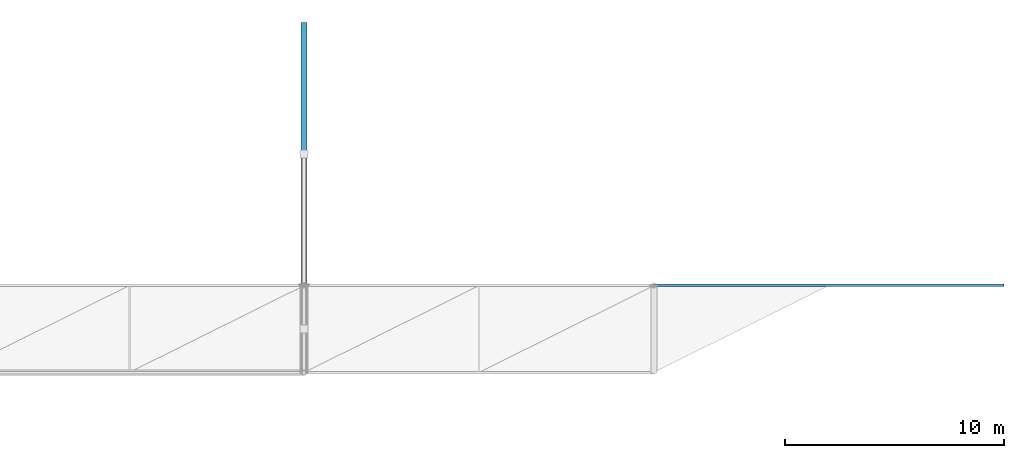
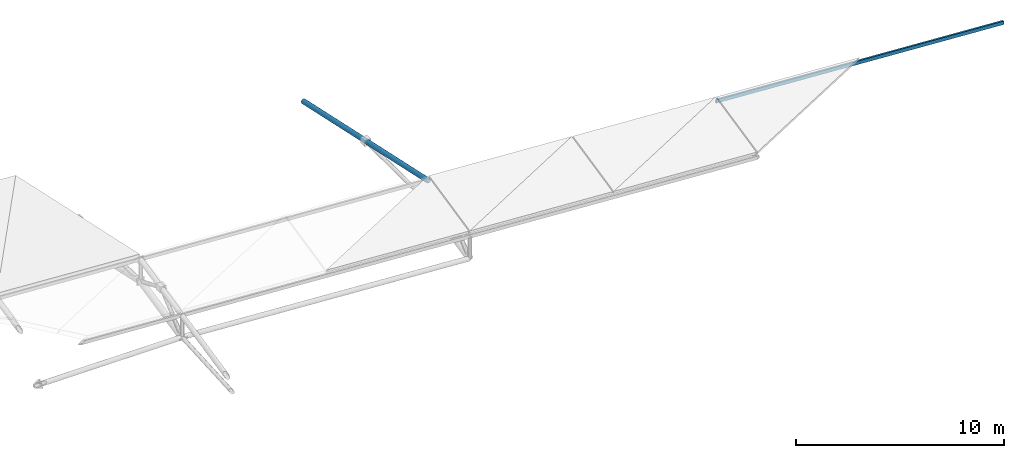
# One storey, part 14 of 27: 2 members.
"""IFC4 building model written with IfcOpenShell, lengths in metres."""

from ifc_helpers import new_model, si_unit, direction, frame, origin, origin_2d, place, context, subcontext, project, spatial, hollow_rectangle, hollow_circle, extrude, material, material_profile, profile_set, type_object, element, save


model = new_model("IFC4")

# Units and contexts
model_context = context("Model", 3, precision=1e-05, world=origin(), true_north=direction((0.0, 1.0)))
body_context = subcontext(model_context, "Body", "Model", "MODEL_VIEW")
ifc_project = project(units=[si_unit("LENGTHUNIT", "METRE"), si_unit("AREAUNIT", "SQUARE_METRE"), si_unit("VOLUMEUNIT", "CUBIC_METRE"), si_unit("PLANEANGLEUNIT", "RADIAN"), si_unit("MASSUNIT", "GRAM", prefix="KILO")], contexts=[model_context])

# Site, building, storey
site_placement = place(None, origin())
site = spatial("IfcSite", under=ifc_project, at=site_placement, CompositionType="ELEMENT")
building_placement = place(site_placement, origin())
building = spatial("IfcBuilding", under=site, at=building_placement, Name="Drelvath Fold Interchange", CompositionType="ELEMENT")
storey_placement = place(building_placement, frame((0.0, 0.0, 19.800048828125)))
storey = spatial("IfcBuildingStorey", under=building, at=storey_placement, Name="L04", CompositionType="ELEMENT", Elevation=19.800048828125)

# Members
ifc_material = material(Name="Steel ASTM A500 Grade C", Category="steel")
ifc_material_profile_1 = material_profile(ifc_material, hollow_rectangle(XDim=0.10205078125, YDim=0.202880859375, WallThickness=0.00732421875, at=origin_2d()), Name="HSS8X4X5/16")
ifc_profile_set_1 = profile_set([ifc_material_profile_1], Name="Steel ASTM A500 Grade C")
member_type_1 = type_object("IfcMemberType", Name="PR-HSS203", PredefinedType="PURLIN", material=ifc_profile_set_1)
member_1_placement = place(storey_placement, frame((150.0, 47.0, 0.674072265625), z_axis=(0.998196786761, 0.0, -0.06002645167), x_axis=(0.0, 1.0, 0.0)))
element("IfcMember", 1, at=member_1_placement, inside=storey, type_object=member_type_1, Name="L04 Space frame canopy purlin PR-HSS203", PredefinedType="PURLIN", context=body_context, shape_type="SweptSolid", body=[
    extrude(hollow_rectangle(XDim=0.10205078125, YDim=0.202880859375, WallThickness=0.00732421875, at=origin_2d()), origin(), (0.0, 0.0, 1.0), 16.02880859375),
])
ifc_material_profile_2 = material_profile(ifc_material, hollow_circle(Radius=0.136474609375, WallThickness=0.01171875, at=origin_2d()), Name="HSS10.750X0.500")
ifc_profile_set_2 = profile_set([ifc_material_profile_2], Name="Steel ASTM A500 Grade C")
member_type_2 = type_object("IfcMemberType", Name="SF-CHD273", PredefinedType="CHORD", material=ifc_profile_set_2)
member_2_placement = place(storey_placement, frame((134.0, 47.0, 1.60498046875), z_axis=(0.0, 0.977053307197, -0.212994917534), x_axis=(-1.0, 0.0, 0.0)))
element("IfcMember", 2, at=member_2_placement, inside=storey, type_object=member_type_2, Name="L04 Space frame roof truss upper chord SF-CHD273", PredefinedType="CHORD", context=body_context, shape_type="SweptSolid", body=[
    extrude(hollow_circle(Radius=0.136474609375, WallThickness=0.01171875, at=origin_2d()), origin(), (0.0, 0.0, 1.0), 12.28173828125),
])

save(model, "model.ifc")
